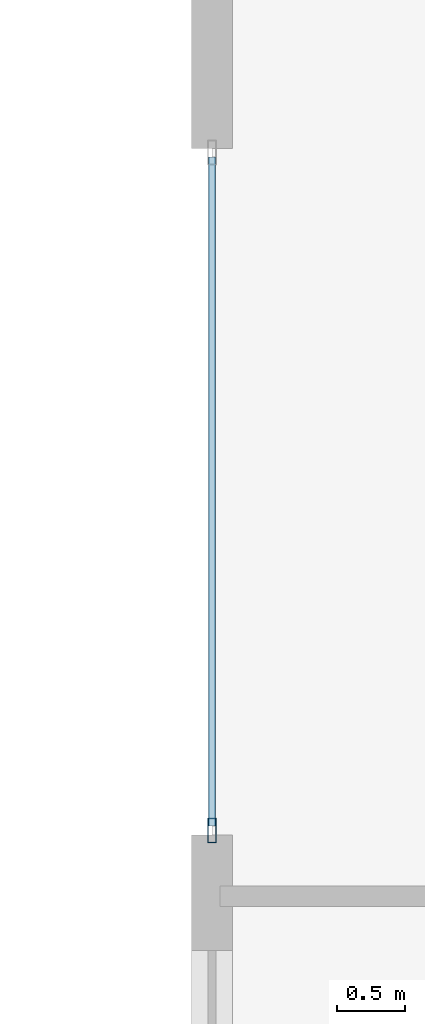
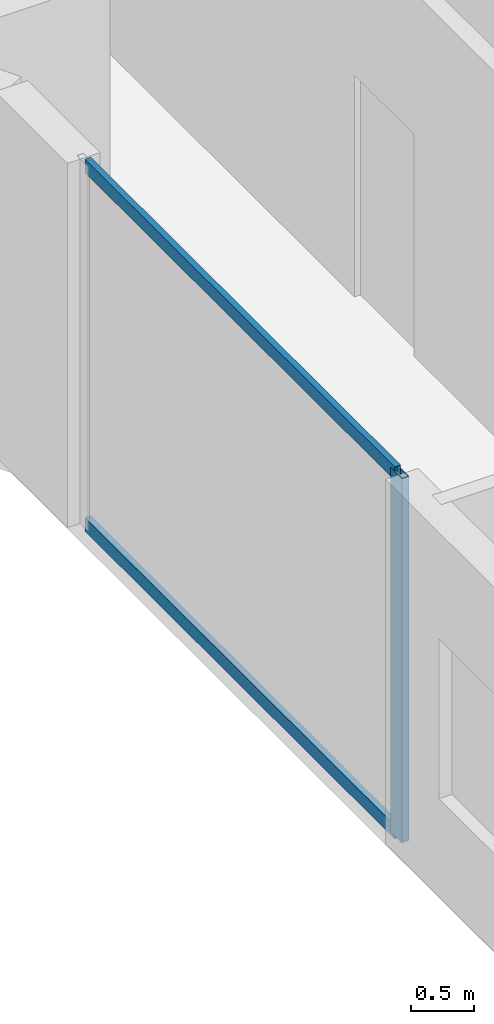
# One storey, part 4 of 32: 3 members, 1 element without a shape of its own.
"""IFC4 building model written with IfcOpenShell, lengths in metres."""

import ifcopenshell
import ifcopenshell.guid

model = None  # the IFC model being written
_history = None  # IfcOwnerHistory: only IFC2X3 demands one
_inside = {}  # id of a spatial element -> (the spatial element, [elements in it])
_under = {}  # id of a project, library or spatial element -> (it, [spatial elements below it])
_declared = {}  # id of a project -> (the project, [libraries it declares])
_typed = {}  # id of a type object -> (the type object, [elements of that type])
_made_of = {}  # id of a material, layer set ... -> (it, [elements and type objects made of it])


def new_model(schema):
    """Start an empty IFC model of exactly this schema.

    Asked for "IFC4X3", IfcOpenShell would pick the latest addendum, in which some entities
    have other attributes; the version numbers below select the first issue.
    IFC2X3 requires an IfcOwnerHistory on every rooted entity: one is made here for all.
    """
    global model, _history
    if schema == "IFC4X3":
        model = ifcopenshell.file(schema_version=(4, 3, 0, 0))
    else:
        model = ifcopenshell.file(schema=schema)
    _inside.clear()
    _under.clear()
    _declared.clear()
    _typed.clear()
    _made_of.clear()
    _history = None
    if model.schema == "IFC2X3":
        org = make("IfcOrganization", Name="unknown")
        user = make(
            "IfcPersonAndOrganization",
            ThePerson=make("IfcPerson", FamilyName="unknown"),
            TheOrganization=org,
        )
        app = make(
            "IfcApplication",
            ApplicationDeveloper=org,
            Version="unknown",
            ApplicationFullName="unknown",
            ApplicationIdentifier="unknown",
        )
        _history = make(
            "IfcOwnerHistory",
            OwningUser=user,
            OwningApplication=app,
            ChangeAction="ADDED",
            CreationDate=0,
        )
    return model


def make(cls, **values):
    """One entity of the class cls with the attributes given. An attribute that is None is left unset."""
    return model.create_entity(
        cls, **{name: value for name, value in values.items() if value is not None}
    )


def rooted(cls, **values):
    """An entity with a GlobalId (a new one), such as an element, a storey or a relation."""
    return make(cls, GlobalId=ifcopenshell.guid.new(), OwnerHistory=_history, **values)


def si_unit(unit_type, name, prefix=None):
    """IfcSIUnit, for example si_unit("LENGTHUNIT", "METRE", prefix="MILLI")."""
    return make("IfcSIUnit", UnitType=unit_type, Prefix=prefix, Name=name)


def assignment(units):
    """IfcUnitAssignment: the units of a project."""
    return None if units is None else make("IfcUnitAssignment", Units=units)


def point(xyz):
    """IfcCartesianPoint."""
    return None if xyz is None else make("IfcCartesianPoint", Coordinates=xyz)


def direction(xyz):
    """IfcDirection."""
    return None if xyz is None else make("IfcDirection", DirectionRatios=xyz)


def frame(location, z_axis=None, x_axis=None):
    """IfcAxis2Placement3D, a coordinate frame: its origin and axes. An axis left out is left unset."""
    return make(
        "IfcAxis2Placement3D",
        Location=point(location),
        Axis=direction(z_axis),
        RefDirection=direction(x_axis),
    )


def frame_2d(location, x_axis=None):
    """IfcAxis2Placement2D, a coordinate frame in the plane: its origin and x axis."""
    return make(
        "IfcAxis2Placement2D", Location=point(location), RefDirection=direction(x_axis)
    )


def origin():
    """The frame at (0, 0, 0) with its axes left unset."""
    return frame((0.0, 0.0, 0.0))


def origin_2d():
    """The frame at (0, 0) in the plane with its x axis left unset."""
    return frame_2d((0.0, 0.0))


def place(relative_to, where):
    """IfcLocalPlacement: puts the frame where relative to a parent placement (None: the world)."""
    return make(
        "IfcLocalPlacement", PlacementRelTo=relative_to, RelativePlacement=where
    )


def context(
    kind, dimensions, precision=None, world=None, true_north=None, identifier=None
):
    """IfcGeometricRepresentationContext, for example the 3D "Model" context."""
    return make(
        "IfcGeometricRepresentationContext",
        ContextIdentifier=identifier,
        ContextType=kind,
        CoordinateSpaceDimension=dimensions,
        Precision=precision,
        WorldCoordinateSystem=world,
        TrueNorth=true_north,
    )


def subcontext(parent, identifier, kind, view, scale=None):
    """IfcGeometricRepresentationSubContext, for example "Body" below "Model"."""
    return make(
        "IfcGeometricRepresentationSubContext",
        ContextIdentifier=identifier,
        ContextType=kind,
        ParentContext=parent,
        TargetScale=scale,
        TargetView=view,
    )


def project(units=None, contexts=None):
    """IfcProject with its units and contexts."""
    return rooted(
        "IfcProject",
        Name="project",
        RepresentationContexts=contexts,
        UnitsInContext=assignment(units),
    )


def spatial(cls, under=None, at=None, **own):
    """A site, building, storey or space (cls), placed at a placement, below another one or the project."""
    s = rooted(cls, ObjectPlacement=at, **own)
    if under is not None:
        _under.setdefault(under.id(), (under, []))[1].append(s)
    return s


def profile(cls, at=None, kind="AREA", **sizes):
    """A parametric profile (cls). Its sizes go by their IFC names, for example OverallWidth=200.0."""
    return make(cls, ProfileType=kind, Position=at, **sizes)


def hollow_rectangle(**sizes):
    """IfcRectangleHollowProfileDef."""
    return profile("IfcRectangleHollowProfileDef", **sizes)


def extrude(swept, where, along, depth):
    """IfcExtrudedAreaSolid: the profile swept, set in the frame where, extruded along a direction by depth."""
    return make(
        "IfcExtrudedAreaSolid",
        SweptArea=swept,
        Position=where,
        ExtrudedDirection=direction(along),
        Depth=depth,
    )


def shape(context_of_items, identifier, shape_type, items):
    """IfcShapeRepresentation: the items that make up one representation, for example the "Body"."""
    return make(
        "IfcShapeRepresentation",
        ContextOfItems=context_of_items,
        RepresentationIdentifier=identifier,
        RepresentationType=shape_type,
        Items=items,
    )


def material(Name=None, Category=None):
    """IfcMaterial."""
    return make("IfcMaterial", Name=Name, Category=Category)


def layer(
    of_material, thickness, ventilated=None, Name=None, Category=None, Priority=None
):
    """IfcMaterialLayer: one layer of a wall or slab, of a material (None: an air gap)."""
    return make(
        "IfcMaterialLayer",
        Material=of_material,
        LayerThickness=thickness,
        IsVentilated=ventilated,
        Name=Name,
        Category=Category,
        Priority=Priority,
    )


def layer_set(layers, Name=None):
    """IfcMaterialLayerSet."""
    return make("IfcMaterialLayerSet", MaterialLayers=layers, LayerSetName=Name)


def material_profile(
    of_material, cross_section, Name=None, Category=None, Priority=None
):
    """IfcMaterialProfile: a cross section and its material."""
    return make(
        "IfcMaterialProfile",
        Name=Name,
        Material=of_material,
        Profile=cross_section,
        Priority=Priority,
        Category=Category,
    )


def profile_set(profiles, Name=None, composite=None):
    """IfcMaterialProfileSet."""
    return make(
        "IfcMaterialProfileSet",
        Name=Name,
        MaterialProfiles=profiles,
        CompositeProfile=composite,
    )


def made_of(thing, what):
    """Note that an element or type object is made of a material, layer set ...; save() writes the relation."""
    if what is not None:
        _made_of.setdefault(what.id(), (what, []))[1].append(thing)
    return thing


def type_object(cls, material=None, **own):
    """A type object (cls), such as IfcWallType, which elements share."""
    return made_of(rooted(cls, **own), material)


def element(
    cls,
    number,
    at=None,
    inside=None,
    cuts=None,
    type_object=None,
    material=None,
    context=None,
    identifier="Body",
    shape_type=None,
    held_by="IfcProductDefinitionShape",
    body=None,
    shapes=None,
    **own,
):
    """One element of the class cls, such as IfcWall. Its Tag is "e" and its number.

    at: its placement. inside: the storey or other place that contains it. cuts: it is an
    opening in that element (IfcRelVoidsElement). A single representation is given by context,
    identifier, shape_type and body (its items); several are given by shapes. held_by: the class
    of the entity that holds the representations. save() writes the other relations.
    """
    e = rooted(cls, Tag="e%d" % number, ObjectPlacement=at, **own)
    if body is not None:
        shapes = [shape(context, identifier, shape_type, body)]
    if shapes is not None:
        e.Representation = make(held_by, Representations=shapes)
    if inside is not None:
        _inside.setdefault(inside.id(), (inside, []))[1].append(e)
    if cuts is not None:
        rooted(
            "IfcRelVoidsElement", RelatingBuildingElement=cuts, RelatedOpeningElement=e
        )
    if type_object is not None:
        _typed.setdefault(type_object.id(), (type_object, []))[1].append(e)
    return made_of(e, material)


def aggregate(whole, parts):
    """IfcRelAggregates: a whole, such as a stair, and the parts it consists of."""
    return rooted("IfcRelAggregates", RelatingObject=whole, RelatedObjects=parts)


def save(model, path):
    """Write the relations noted so far, then the file.

    IfcRelAggregates (storeys below a building ...), IfcRelContainedInSpatialStructure (elements
    in a storey), IfcRelDefinesByType, IfcRelAssociatesMaterial and IfcRelDeclares: one each for
    every whole, place, type object, material and project.
    """
    for whole, parts in _under.values():
        aggregate(whole, parts)
    for where, things in _inside.values():
        rooted(
            "IfcRelContainedInSpatialStructure",
            RelatedElements=things,
            RelatingStructure=where,
        )
    for kind, things in _typed.values():
        rooted("IfcRelDefinesByType", RelatedObjects=things, RelatingType=kind)
    for what, things in _made_of.values():
        rooted("IfcRelAssociatesMaterial", RelatedObjects=things, RelatingMaterial=what)
    for by, libraries in _declared.values():
        rooted("IfcRelDeclares", RelatingContext=by, RelatedDefinitions=libraries)
    model.write(path)


model = new_model("IFC4")

# Units and contexts
model_context = context("Model", 3, precision=1e-05, world=origin(), true_north=direction((0.0, 1.0)))
body_context = subcontext(model_context, "Body", "Model", "MODEL_VIEW")
ifc_project = project(units=[si_unit("LENGTHUNIT", "METRE"), si_unit("AREAUNIT", "SQUARE_METRE"), si_unit("VOLUMEUNIT", "CUBIC_METRE"), si_unit("PLANEANGLEUNIT", "RADIAN"), si_unit("MASSUNIT", "GRAM", prefix="KILO")], contexts=[model_context])

# Site, building, storey
site_placement = place(None, origin())
site = spatial("IfcSite", under=ifc_project, at=site_placement, CompositionType="ELEMENT")
building_placement = place(site_placement, origin())
building = spatial("IfcBuilding", under=site, at=building_placement, Name="Zuhayl Quay Hotel", CompositionType="ELEMENT")
storey_placement = place(building_placement, frame((0.0, 0.0, 177.39990234375)))
storey = spatial("IfcBuildingStorey", under=building, at=storey_placement, Name="L44", CompositionType="ELEMENT", Elevation=177.39990234375)

# Curtain wall, members
ifc_material_1 = material(Name="Anodised Aluminium 6063-T6", Category="aluminium")
ifc_layer = layer(ifc_material_1, 0.175048828125, Name="Anodised Aluminium 6063-T6", Category="aluminium")
ifc_layer_set = layer_set([ifc_layer], Name="Anodised Aluminium 6063-T6")
curtain_wall_type = type_object("IfcCurtainWallType", Name="CW_SYS_Z3", PredefinedType="USERDEFINED", material=ifc_layer_set)
curtain_wall_placement = place(storey_placement, origin())
curtain_wall = element("IfcCurtainWall", 1, at=curtain_wall_placement, inside=storey, type_object=curtain_wall_type, Name="L44 Curtain Wall ENV_L44_E02_CW1", ObjectType="UNITISED CURTAIN WALL", PredefinedType="USERDEFINED")
ifc_material_2 = material(Name="Black-anodised aluminium 6063-T6", Category="aluminium")
ifc_material_profile_1 = material_profile(ifc_material_2, hollow_rectangle(XDim=0.06494140625, YDim=0.179931640625, WallThickness=0.00341796875, at=origin_2d()), Name="ALU180X65")
ifc_profile_set_1 = profile_set([ifc_material_profile_1], Name="Black-anodised aluminium 6063-T6")
member_type_1 = type_object("IfcMemberType", Name="MB_CW_MUL_180", PredefinedType="MULLION", material=ifc_profile_set_1)
member_1_placement = place(storey_placement, frame((-22.10009765625, 2.032470703125, 0.0), z_axis=(0.0, 0.0, 1.0), x_axis=(-1.0, 0.0, 0.0)))
member_1 = element("IfcMember", 2, at=member_1_placement, type_object=member_type_1, Name="CW-Z3 mullion 1", PredefinedType="MULLION", context=body_context, shape_type="SweptSolid", body=[
    extrude(hollow_rectangle(XDim=0.06494140625, YDim=0.179931640625, WallThickness=0.00341796875, at=origin_2d()), origin(), (0.0, 0.0, 1.0), 3.530029296875),
])
ifc_material_profile_2 = material_profile(ifc_material_2, hollow_rectangle(XDim=0.054931640625, YDim=0.1298828125, WallThickness=0.0029296875, at=origin_2d()), Name="ALU130X55")
ifc_profile_set_2 = profile_set([ifc_material_profile_2], Name="Black-anodised aluminium 6063-T6")
member_type_2 = type_object("IfcMemberType", Name="MB_CW_TRN_130", PredefinedType="USERDEFINED", material=ifc_profile_set_2)
member_2_placement = place(storey_placement, frame((-22.10009765625, 2.06494140625, 0.027587890625), z_axis=(0.0, 1.0, 0.0), x_axis=(-1.0, 0.0, 0.0)))
member_2 = element("IfcMember", 3, at=member_2_placement, type_object=member_type_2, Name="CW-Z3 transom 1.1", ObjectType="TRANSOM", PredefinedType="USERDEFINED", context=body_context, shape_type="SweptSolid", body=[
    extrude(hollow_rectangle(XDim=0.054931640625, YDim=0.1298828125, WallThickness=0.0029296875, at=origin_2d()), origin(), (0.0, 0.0, 1.0), 4.920166015625),
])
member_3_placement = place(storey_placement, frame((-22.10009765625, 2.06494140625, 3.502685546875), z_axis=(0.0, 1.0, 0.0), x_axis=(-1.0, 0.0, 0.0)))
member_3 = element("IfcMember", 4, at=member_3_placement, type_object=member_type_2, Name="CW-Z3 transom 1.2", ObjectType="TRANSOM", PredefinedType="USERDEFINED", context=body_context, shape_type="SweptSolid", body=[
    extrude(hollow_rectangle(XDim=0.054931640625, YDim=0.1298828125, WallThickness=0.0029296875, at=origin_2d()), origin(), (0.0, 0.0, 1.0), 4.920166015625),
])
aggregate(curtain_wall, [member_1, member_2, member_3])

save(model, "model.ifc")
